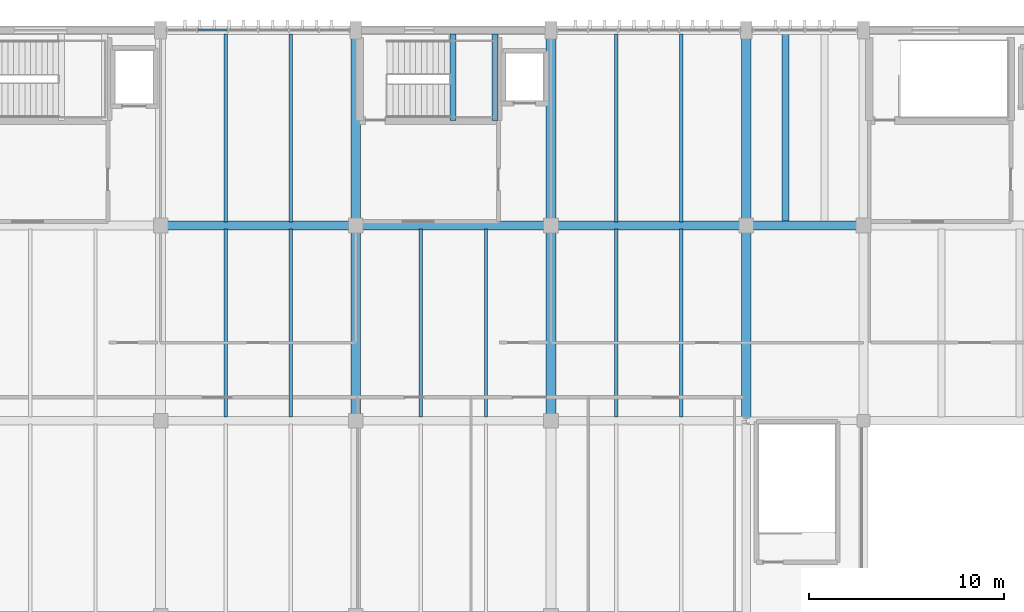
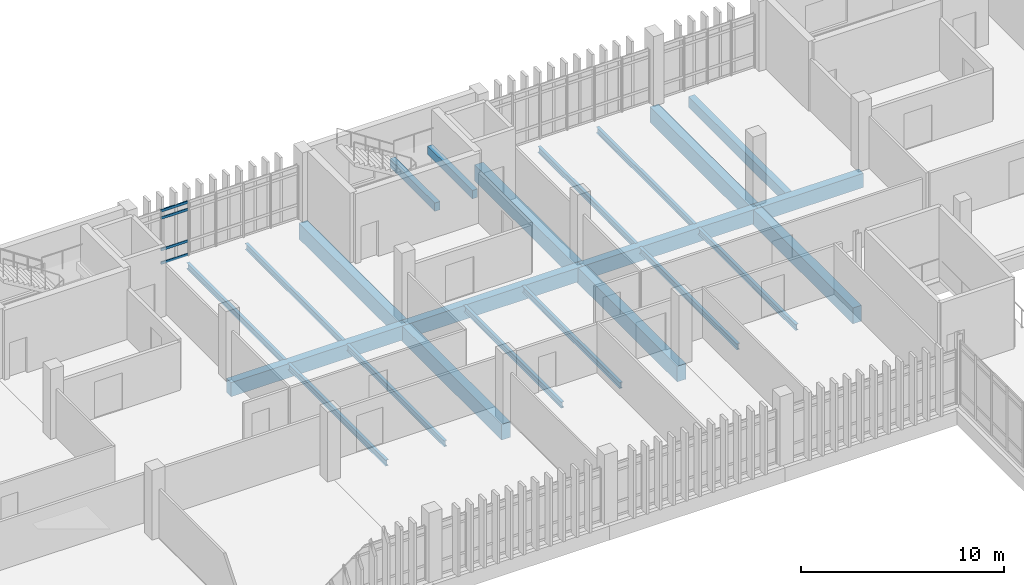
# One storey, part 93 of 161: 23 beams, 4 members, 1 element without a shape of its own.
"""IFC4 building model written with IfcOpenShell, lengths in metres."""

import ifcopenshell
import ifcopenshell.guid

model = None  # the IFC model being written
_history = None  # IfcOwnerHistory: only IFC2X3 demands one
_inside = {}  # id of a spatial element -> (the spatial element, [elements in it])
_under = {}  # id of a project, library or spatial element -> (it, [spatial elements below it])
_declared = {}  # id of a project -> (the project, [libraries it declares])
_typed = {}  # id of a type object -> (the type object, [elements of that type])
_made_of = {}  # id of a material, layer set ... -> (it, [elements and type objects made of it])


def new_model(schema):
    """Start an empty IFC model of exactly this schema.

    Asked for "IFC4X3", IfcOpenShell would pick the latest addendum, in which some entities
    have other attributes; the version numbers below select the first issue.
    IFC2X3 requires an IfcOwnerHistory on every rooted entity: one is made here for all.
    """
    global model, _history
    if schema == "IFC4X3":
        model = ifcopenshell.file(schema_version=(4, 3, 0, 0))
    else:
        model = ifcopenshell.file(schema=schema)
    _inside.clear()
    _under.clear()
    _declared.clear()
    _typed.clear()
    _made_of.clear()
    _history = None
    if model.schema == "IFC2X3":
        org = make("IfcOrganization", Name="unknown")
        user = make(
            "IfcPersonAndOrganization",
            ThePerson=make("IfcPerson", FamilyName="unknown"),
            TheOrganization=org,
        )
        app = make(
            "IfcApplication",
            ApplicationDeveloper=org,
            Version="unknown",
            ApplicationFullName="unknown",
            ApplicationIdentifier="unknown",
        )
        _history = make(
            "IfcOwnerHistory",
            OwningUser=user,
            OwningApplication=app,
            ChangeAction="ADDED",
            CreationDate=0,
        )
    return model


def make(cls, **values):
    """One entity of the class cls with the attributes given. An attribute that is None is left unset."""
    return model.create_entity(
        cls, **{name: value for name, value in values.items() if value is not None}
    )


def rooted(cls, **values):
    """An entity with a GlobalId (a new one), such as an element, a storey or a relation."""
    return make(cls, GlobalId=ifcopenshell.guid.new(), OwnerHistory=_history, **values)


def si_unit(unit_type, name, prefix=None):
    """IfcSIUnit, for example si_unit("LENGTHUNIT", "METRE", prefix="MILLI")."""
    return make("IfcSIUnit", UnitType=unit_type, Prefix=prefix, Name=name)


def assignment(units):
    """IfcUnitAssignment: the units of a project."""
    return None if units is None else make("IfcUnitAssignment", Units=units)


def point(xyz):
    """IfcCartesianPoint."""
    return None if xyz is None else make("IfcCartesianPoint", Coordinates=xyz)


def direction(xyz):
    """IfcDirection."""
    return None if xyz is None else make("IfcDirection", DirectionRatios=xyz)


def frame(location, z_axis=None, x_axis=None):
    """IfcAxis2Placement3D, a coordinate frame: its origin and axes. An axis left out is left unset."""
    return make(
        "IfcAxis2Placement3D",
        Location=point(location),
        Axis=direction(z_axis),
        RefDirection=direction(x_axis),
    )


def frame_2d(location, x_axis=None):
    """IfcAxis2Placement2D, a coordinate frame in the plane: its origin and x axis."""
    return make(
        "IfcAxis2Placement2D", Location=point(location), RefDirection=direction(x_axis)
    )


def origin():
    """The frame at (0, 0, 0) with its axes left unset."""
    return frame((0.0, 0.0, 0.0))


def origin_2d():
    """The frame at (0, 0) in the plane with its x axis left unset."""
    return frame_2d((0.0, 0.0))


def place(relative_to, where):
    """IfcLocalPlacement: puts the frame where relative to a parent placement (None: the world)."""
    return make(
        "IfcLocalPlacement", PlacementRelTo=relative_to, RelativePlacement=where
    )


def context(
    kind, dimensions, precision=None, world=None, true_north=None, identifier=None
):
    """IfcGeometricRepresentationContext, for example the 3D "Model" context."""
    return make(
        "IfcGeometricRepresentationContext",
        ContextIdentifier=identifier,
        ContextType=kind,
        CoordinateSpaceDimension=dimensions,
        Precision=precision,
        WorldCoordinateSystem=world,
        TrueNorth=true_north,
    )


def subcontext(parent, identifier, kind, view, scale=None):
    """IfcGeometricRepresentationSubContext, for example "Body" below "Model"."""
    return make(
        "IfcGeometricRepresentationSubContext",
        ContextIdentifier=identifier,
        ContextType=kind,
        ParentContext=parent,
        TargetScale=scale,
        TargetView=view,
    )


def project(units=None, contexts=None):
    """IfcProject with its units and contexts."""
    return rooted(
        "IfcProject",
        Name="project",
        RepresentationContexts=contexts,
        UnitsInContext=assignment(units),
    )


def spatial(cls, under=None, at=None, **own):
    """A site, building, storey or space (cls), placed at a placement, below another one or the project."""
    s = rooted(cls, ObjectPlacement=at, **own)
    if under is not None:
        _under.setdefault(under.id(), (under, []))[1].append(s)
    return s


def profile(cls, at=None, kind="AREA", **sizes):
    """A parametric profile (cls). Its sizes go by their IFC names, for example OverallWidth=200.0."""
    return make(cls, ProfileType=kind, Position=at, **sizes)


def rectangle(**sizes):
    """IfcRectangleProfileDef."""
    return profile("IfcRectangleProfileDef", **sizes)


def hollow_rectangle(**sizes):
    """IfcRectangleHollowProfileDef."""
    return profile("IfcRectangleHollowProfileDef", **sizes)


def i_section(**sizes):
    """IfcIShapeProfileDef."""
    return profile("IfcIShapeProfileDef", **sizes)


def extrude(swept, where, along, depth):
    """IfcExtrudedAreaSolid: the profile swept, set in the frame where, extruded along a direction by depth."""
    return make(
        "IfcExtrudedAreaSolid",
        SweptArea=swept,
        Position=where,
        ExtrudedDirection=direction(along),
        Depth=depth,
    )


def shape(context_of_items, identifier, shape_type, items):
    """IfcShapeRepresentation: the items that make up one representation, for example the "Body"."""
    return make(
        "IfcShapeRepresentation",
        ContextOfItems=context_of_items,
        RepresentationIdentifier=identifier,
        RepresentationType=shape_type,
        Items=items,
    )


def material(Name=None, Category=None):
    """IfcMaterial."""
    return make("IfcMaterial", Name=Name, Category=Category)


def layer(
    of_material, thickness, ventilated=None, Name=None, Category=None, Priority=None
):
    """IfcMaterialLayer: one layer of a wall or slab, of a material (None: an air gap)."""
    return make(
        "IfcMaterialLayer",
        Material=of_material,
        LayerThickness=thickness,
        IsVentilated=ventilated,
        Name=Name,
        Category=Category,
        Priority=Priority,
    )


def layer_set(layers, Name=None):
    """IfcMaterialLayerSet."""
    return make("IfcMaterialLayerSet", MaterialLayers=layers, LayerSetName=Name)


def material_profile(
    of_material, cross_section, Name=None, Category=None, Priority=None
):
    """IfcMaterialProfile: a cross section and its material."""
    return make(
        "IfcMaterialProfile",
        Name=Name,
        Material=of_material,
        Profile=cross_section,
        Priority=Priority,
        Category=Category,
    )


def profile_set(profiles, Name=None, composite=None):
    """IfcMaterialProfileSet."""
    return make(
        "IfcMaterialProfileSet",
        Name=Name,
        MaterialProfiles=profiles,
        CompositeProfile=composite,
    )


def made_of(thing, what):
    """Note that an element or type object is made of a material, layer set ...; save() writes the relation."""
    if what is not None:
        _made_of.setdefault(what.id(), (what, []))[1].append(thing)
    return thing


def type_object(cls, material=None, **own):
    """A type object (cls), such as IfcWallType, which elements share."""
    return made_of(rooted(cls, **own), material)


def element(
    cls,
    number,
    at=None,
    inside=None,
    cuts=None,
    type_object=None,
    material=None,
    context=None,
    identifier="Body",
    shape_type=None,
    held_by="IfcProductDefinitionShape",
    body=None,
    shapes=None,
    **own,
):
    """One element of the class cls, such as IfcWall. Its Tag is "e" and its number.

    at: its placement. inside: the storey or other place that contains it. cuts: it is an
    opening in that element (IfcRelVoidsElement). A single representation is given by context,
    identifier, shape_type and body (its items); several are given by shapes. held_by: the class
    of the entity that holds the representations. save() writes the other relations.
    """
    e = rooted(cls, Tag="e%d" % number, ObjectPlacement=at, **own)
    if body is not None:
        shapes = [shape(context, identifier, shape_type, body)]
    if shapes is not None:
        e.Representation = make(held_by, Representations=shapes)
    if inside is not None:
        _inside.setdefault(inside.id(), (inside, []))[1].append(e)
    if cuts is not None:
        rooted(
            "IfcRelVoidsElement", RelatingBuildingElement=cuts, RelatedOpeningElement=e
        )
    if type_object is not None:
        _typed.setdefault(type_object.id(), (type_object, []))[1].append(e)
    return made_of(e, material)


def aggregate(whole, parts):
    """IfcRelAggregates: a whole, such as a stair, and the parts it consists of."""
    return rooted("IfcRelAggregates", RelatingObject=whole, RelatedObjects=parts)


def save(model, path):
    """Write the relations noted so far, then the file.

    IfcRelAggregates (storeys below a building ...), IfcRelContainedInSpatialStructure (elements
    in a storey), IfcRelDefinesByType, IfcRelAssociatesMaterial and IfcRelDeclares: one each for
    every whole, place, type object, material and project.
    """
    for whole, parts in _under.values():
        aggregate(whole, parts)
    for where, things in _inside.values():
        rooted(
            "IfcRelContainedInSpatialStructure",
            RelatedElements=things,
            RelatingStructure=where,
        )
    for kind, things in _typed.values():
        rooted("IfcRelDefinesByType", RelatedObjects=things, RelatingType=kind)
    for what, things in _made_of.values():
        rooted("IfcRelAssociatesMaterial", RelatedObjects=things, RelatingMaterial=what)
    for by, libraries in _declared.values():
        rooted("IfcRelDeclares", RelatingContext=by, RelatedDefinitions=libraries)
    model.write(path)


model = new_model("IFC4")

# Units and contexts
model_context = context("Model", 3, precision=1e-05, world=origin(), true_north=direction((0.0, 1.0)))
body_context = subcontext(model_context, "Body", "Model", "MODEL_VIEW")
ifc_project = project(units=[si_unit("LENGTHUNIT", "METRE"), si_unit("AREAUNIT", "SQUARE_METRE"), si_unit("VOLUMEUNIT", "CUBIC_METRE"), si_unit("PLANEANGLEUNIT", "RADIAN"), si_unit("MASSUNIT", "GRAM", prefix="KILO")], contexts=[model_context])

# Site, building, storey
site_placement = place(None, origin())
site = spatial("IfcSite", under=ifc_project, at=site_placement, CompositionType="ELEMENT")
building_placement = place(site_placement, origin())
building = spatial("IfcBuilding", under=site, at=building_placement, Name="Mersad Railyard Sports Hall", CompositionType="ELEMENT")
storey_placement = place(building_placement, frame((0.0, 0.0, 4.800048828125)))
storey = spatial("IfcBuildingStorey", under=building, at=storey_placement, Name="L01", CompositionType="ELEMENT", Elevation=4.800048828125)

# Curtain wall, members
ifc_material_1 = material(Name="Aluminium 6063-T6", Category="aluminium")
ifc_layer = layer(ifc_material_1, 0.199951171875)
ifc_layer_set = layer_set([ifc_layer], Name="Aluminium 6063-T6")
curtain_wall_type = type_object("IfcCurtainWallType", Name="ARC-CW-CW35", PredefinedType="USERDEFINED", material=ifc_layer_set)
curtain_wall_placement = place(storey_placement, origin())
curtain_wall = element("IfcCurtainWall", 1, at=curtain_wall_placement, inside=storey, type_object=curtain_wall_type, Name="Curtain wall CW35-0098", ObjectType="CURTAIN WALL", PredefinedType="USERDEFINED")
ifc_material_profile_1 = material_profile(ifc_material_1, hollow_rectangle(XDim=0.06494140625, YDim=0.14990234375, WallThickness=0.00439453125, at=origin_2d()), Name="AL TRANSOM 65x150x4.5")
ifc_profile_set_1 = profile_set([ifc_material_profile_1], Name="Aluminium 6063-T6")
member_type = type_object("IfcMemberType", Name="ARC-CW-TRN02", PredefinedType="USERDEFINED", material=ifc_profile_set_1)
member_1_placement = place(storey_placement, frame((102.89990234375, 115.0, 0.0400390625), z_axis=(1.0, 0.0, 0.0), x_axis=(0.0, 1.0, 0.0)))
member_1 = element("IfcMember", 2, at=member_1_placement, type_object=member_type, Name="CW35 Transom 1-2", ObjectType="TRANSOM", PredefinedType="USERDEFINED", context=body_context, shape_type="SweptSolid", body=[
    extrude(hollow_rectangle(XDim=0.06494140625, YDim=0.14990234375, WallThickness=0.00439453125, at=origin_2d()), origin(), (0.0, 0.0, 1.0), 1.52001953125),
])
member_2_placement = place(storey_placement, frame((102.89990234375, 115.0, 0.849853515625), z_axis=(1.0, 0.0, 0.0), x_axis=(0.0, 1.0, 0.0)))
member_2 = element("IfcMember", 3, at=member_2_placement, type_object=member_type, Name="CW35 Transom 2-2", ObjectType="TRANSOM", PredefinedType="USERDEFINED", context=body_context, shape_type="SweptSolid", body=[
    extrude(hollow_rectangle(XDim=0.06494140625, YDim=0.14990234375, WallThickness=0.00439453125, at=origin_2d()), origin(), (0.0, 0.0, 1.0), 1.52001953125),
])
member_3_placement = place(storey_placement, frame((102.89990234375, 115.0, 2.75), z_axis=(1.0, 0.0, 0.0), x_axis=(0.0, 1.0, 0.0)))
member_3 = element("IfcMember", 4, at=member_3_placement, type_object=member_type, Name="CW35 Transom 3-2", ObjectType="TRANSOM", PredefinedType="USERDEFINED", context=body_context, shape_type="SweptSolid", body=[
    extrude(hollow_rectangle(XDim=0.06494140625, YDim=0.14990234375, WallThickness=0.00439453125, at=origin_2d()), origin(), (0.0, 0.0, 1.0), 1.52001953125),
])
member_4_placement = place(storey_placement, frame((102.89990234375, 115.0, 3.18994140625), z_axis=(1.0, 0.0, 0.0), x_axis=(0.0, 1.0, 0.0)))
member_4 = element("IfcMember", 5, at=member_4_placement, type_object=member_type, Name="CW35 Transom 4-2", ObjectType="TRANSOM", PredefinedType="USERDEFINED", context=body_context, shape_type="SweptSolid", body=[
    extrude(hollow_rectangle(XDim=0.06494140625, YDim=0.14990234375, WallThickness=0.00439453125, at=origin_2d()), origin(), (0.0, 0.0, 1.0), 1.52001953125),
])
aggregate(curtain_wall, [member_1, member_2, member_3, member_4])

# Beams
ifc_material_2 = material(Name="Concrete C40/50", Category="concrete")
ifc_material_profile_2 = material_profile(ifc_material_2, rectangle(XDim=0.449951171875, YDim=0.85009765625, at=origin_2d()), Name="RC 450x850")
ifc_profile_set_2 = profile_set([ifc_material_profile_2], Name="Concrete C40/50")
beam_type_1 = type_object("IfcBeamType", Name="STR-BM-B02", PredefinedType="BEAM", material=ifc_profile_set_2)
for number, where, z_axis, x_axis, name in (
    (6, (101.0, 105.0, -0.72509765625), (1.0, 0.0, 0.0), (0.0, 1.0, 0.0), "Beam B02-0945"),
    (7, (111.0, 105.0, -0.72509765625), (1.0, 0.0, 0.0), (0.0, 1.0, 0.0), "Beam B02-0946"),
    (8, (121.0, 105.0, -0.72509765625), (1.0, 0.0, 0.0), (0.0, 1.0, 0.0), "Beam B02-0947"),
):
    element("IfcBeam", number, at=place(storey_placement, frame(where, z_axis=z_axis, x_axis=x_axis)), inside=storey, type_object=beam_type_1, Name=name, PredefinedType="BEAM", context=body_context, shape_type="SweptSolid", body=[
        extrude(rectangle(XDim=0.449951171875, YDim=0.85009765625, at=origin_2d()), origin(), (0.0, 0.0, 1.0), 10.0),
    ])
beam_1_placement = place(storey_placement, frame((131.0, 105.0, -0.72509765625), z_axis=(1.0, 0.0, 0.0), x_axis=(0.0, 1.0, 0.0)))
element("IfcBeam", 9, at=beam_1_placement, inside=storey, type_object=beam_type_1, Name="Beam B02-0986", PredefinedType="BEAM", context=body_context, shape_type="SweptSolid", body=[
    extrude(rectangle(XDim=0.449951171875, YDim=0.85009765625, at=origin_2d()), origin(), (0.0, 0.0, 1.0), 6.0),
])
ifc_material_3 = material(Name="Concrete C50/60", Category="concrete")
ifc_material_profile_3 = material_profile(ifc_material_3, rectangle(XDim=0.5, YDim=0.949951171875, at=origin_2d()), Name="RC 500x950")
ifc_profile_set_3 = profile_set([ifc_material_profile_3], Name="Concrete C50/60")
beam_type_2 = type_object("IfcBeamType", Name="STR-BM-B03", PredefinedType="BEAM", material=ifc_profile_set_3)
for number, where, z_axis, x_axis, name in (
    (10, (111.0, 95.0, -0.775146484375), (0.0, 1.0, 0.0), (-1.0, 0.0, 0.0), "Beam B03-0975"),
    (11, (111.0, 105.0, -0.775146484375), (0.0, 1.0, 0.0), (-1.0, 0.0, 0.0), "Beam B03-0976"),
    (12, (121.0, 95.0, -0.775146484375), (0.0, 1.0, 0.0), (-1.0, 0.0, 0.0), "Beam B03-0978"),
    (13, (121.0, 105.0, -0.775146484375), (0.0, 1.0, 0.0), (-1.0, 0.0, 0.0), "Beam B03-0979"),
    (14, (131.0, 95.0, -0.775146484375), (0.0, 1.0, 0.0), (-1.0, 0.0, 0.0), "Beam B03-0980"),
    (15, (131.0, 105.0, -0.775146484375), (0.0, 1.0, 0.0), (-1.0, 0.0, 0.0), "Beam B03-0981"),
):
    element("IfcBeam", number, at=place(storey_placement, frame(where, z_axis=z_axis, x_axis=x_axis)), inside=storey, type_object=beam_type_2, Name=name, PredefinedType="BEAM", context=body_context, shape_type="SweptSolid", body=[
        extrude(rectangle(XDim=0.5, YDim=0.949951171875, at=origin_2d()), origin(), (0.0, 0.0, 1.0), 10.0),
    ])
ifc_material_profile_4 = material_profile(ifc_material_2, rectangle(XDim=0.35009765625, YDim=0.64990234375, at=origin_2d()), Name="RC 350x650")
ifc_profile_set_4 = profile_set([ifc_material_profile_4], Name="Concrete C40/50")
beam_type_3 = type_object("IfcBeamType", Name="STR-BM-J01", PredefinedType="JOIST", material=ifc_profile_set_4)
beam_2_placement = place(storey_placement, frame((133.0, 105.179931640625, -0.625), z_axis=(0.0, 1.0, 0.0), x_axis=(-1.0, 0.0, 0.0)))
element("IfcBeam", 16, at=beam_2_placement, inside=storey, type_object=beam_type_3, Name="Beam J01-1049", PredefinedType="JOIST", context=body_context, shape_type="SweptSolid", body=[
    extrude(rectangle(XDim=0.35009765625, YDim=0.64990234375, at=origin_2d()), origin(), (0.0, 0.0, 1.0), 9.64013671875),
])
ifc_material_4 = material(Name="Steel S355", Category="steel")
ifc_material_profile_5 = material_profile(ifc_material_4, i_section(OverallWidth=0.169921875, OverallDepth=0.360107421875, WebThickness=0.008056640625, FlangeThickness=0.0126953125, at=origin_2d()), Name="IPE 360")
ifc_profile_set_5 = profile_set([ifc_material_profile_5], Name="Steel S355")
beam_type_4 = type_object("IfcBeamType", Name="STR-BM-J03", PredefinedType="JOIST", material=ifc_profile_set_5)
for number, where, z_axis, x_axis, name in (
    (17, (104.3330078125, 95.179931640625, -0.47998046875), (0.0, 1.0, 0.0), (-1.0, 0.0, 0.0), "Beam J03-1035"),
    (18, (107.6669921875, 95.179931640625, -0.47998046875), (0.0, 1.0, 0.0), (-1.0, 0.0, 0.0), "Beam J03-1036"),
    (19, (104.3330078125, 105.179931640625, -0.47998046875), (0.0, 1.0, 0.0), (-1.0, 0.0, 0.0), "Beam J03-1037"),
    (20, (107.6669921875, 105.179931640625, -0.47998046875), (0.0, 1.0, 0.0), (-1.0, 0.0, 0.0), "Beam J03-1038"),
    (21, (114.3330078125, 95.179931640625, -0.47998046875), (0.0, 1.0, 0.0), (-1.0, 0.0, 0.0), "Beam J03-1041"),
    (22, (117.6669921875, 95.179931640625, -0.47998046875), (0.0, 1.0, 0.0), (-1.0, 0.0, 0.0), "Beam J03-1042"),
    (23, (124.3330078125, 95.179931640625, -0.47998046875), (0.0, 1.0, 0.0), (-1.0, 0.0, 0.0), "Beam J03-1045"),
    (24, (127.6669921875, 95.179931640625, -0.47998046875), (0.0, 1.0, 0.0), (-1.0, 0.0, 0.0), "Beam J03-1046"),
    (25, (124.3330078125, 105.179931640625, -0.47998046875), (0.0, 1.0, 0.0), (-1.0, 0.0, 0.0), "Beam J03-1047"),
    (26, (127.6669921875, 105.179931640625, -0.47998046875), (0.0, 1.0, 0.0), (-1.0, 0.0, 0.0), "Beam J03-1048"),
):
    element("IfcBeam", number, at=place(storey_placement, frame(where, z_axis=z_axis, x_axis=x_axis)), inside=storey, type_object=beam_type_4, Name=name, PredefinedType="JOIST", context=body_context, shape_type="SweptSolid", body=[
        extrude(i_section(OverallWidth=0.169921875, OverallDepth=0.360107421875, WebThickness=0.008056640625, FlangeThickness=0.0126953125, at=origin_2d()), origin(), (0.0, 0.0, 1.0), 9.64013671875),
    ])
ifc_material_profile_6 = material_profile(ifc_material_2, rectangle(XDim=0.300048828125, YDim=0.5, at=origin_2d()), Name="RC 300x500")
ifc_profile_set_6 = profile_set([ifc_material_profile_6], Name="Concrete C40/50")
beam_type_5 = type_object("IfcBeamType", Name="STR-BM-LN01", PredefinedType="LINTEL", material=ifc_profile_set_6)
for number, where, z_axis, x_axis, name in (
    (27, (115.97412109375, 110.3798828125, 1.669921875), (0.0, 1.0, 0.0), (-1.0, 0.0, 0.0), "Stair ST03C landing beam W"),
    (28, (118.1201171875, 110.3798828125, 1.669921875), (0.0, 1.0, 0.0), (-1.0, 0.0, 0.0), "Stair ST03C landing beam E"),
):
    element("IfcBeam", number, at=place(storey_placement, frame(where, z_axis=z_axis, x_axis=x_axis)), inside=storey, type_object=beam_type_5, Name=name, PredefinedType="LINTEL", context=body_context, shape_type="SweptSolid", body=[
        extrude(rectangle(XDim=0.300048828125, YDim=0.5, at=origin_2d()), origin(), (0.0, 0.0, 1.0), 4.43017578125),
    ])

save(model, "model.ifc")
